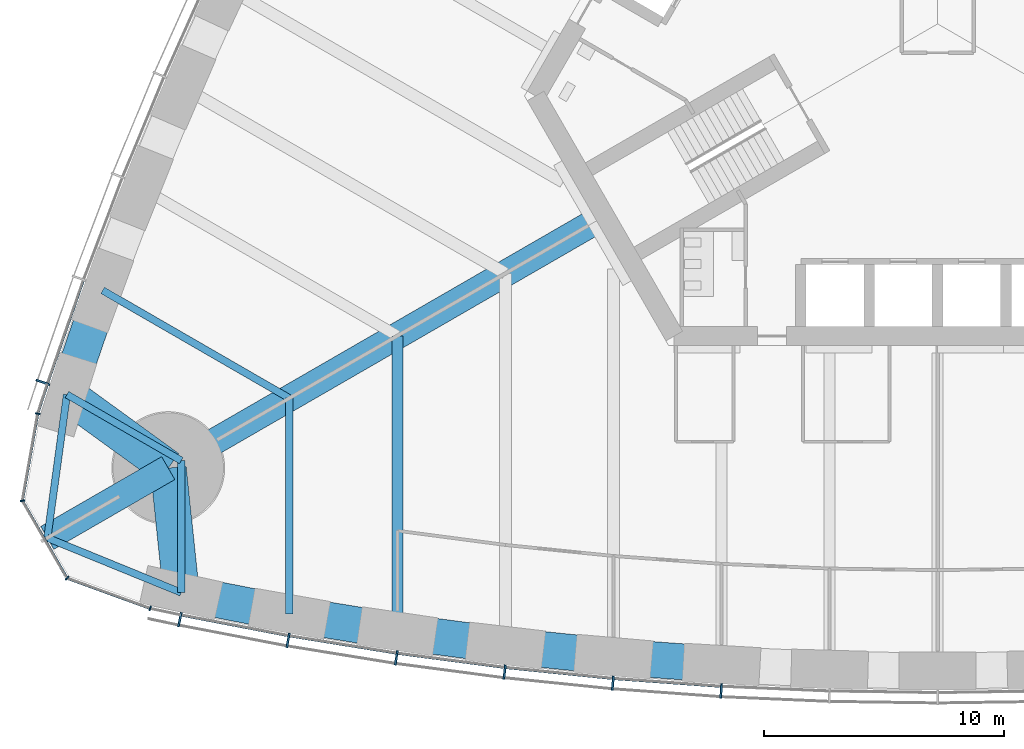
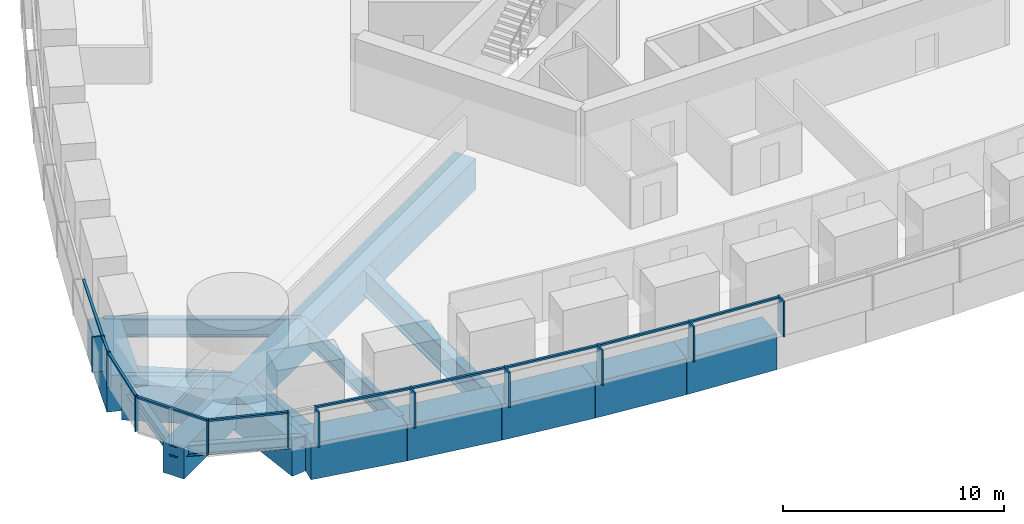
# One storey, part 2 of 18: 21 members, 17 beams, 3 elements without a shape of their own.
"""IFC4 building model written with IfcOpenShell, lengths in metres."""

from ifc_helpers import new_model, si_unit, direction, frame, origin, origin_2d, place, context, subcontext, project, spatial, rectangle, i_section, extrude, material, material_profile, profile_set, type_object, element, aggregate, save


model = new_model("IFC4")

# Units and contexts
model_context = context("Model", 3, precision=1e-05, world=origin(), true_north=direction((0.0, 1.0)))
body_context = subcontext(model_context, "Body", "Model", "MODEL_VIEW")
ifc_project = project(units=[si_unit("LENGTHUNIT", "METRE"), si_unit("AREAUNIT", "SQUARE_METRE"), si_unit("VOLUMEUNIT", "CUBIC_METRE"), si_unit("PLANEANGLEUNIT", "RADIAN"), si_unit("MASSUNIT", "GRAM", prefix="KILO")], contexts=[model_context])

# Site, building, storey
site_placement = place(None, origin())
site = spatial("IfcSite", under=ifc_project, at=site_placement, CompositionType="ELEMENT")
building_placement = place(site_placement, origin())
building = spatial("IfcBuilding", under=site, at=building_placement, Name="Trefoil Bronze Tower", CompositionType="ELEMENT")
storey_placement = place(building_placement, frame((0.0, 0.0, 87.89990234375)))
storey = spatial("IfcBuildingStorey", under=building, at=storey_placement, Name="L20", CompositionType="ELEMENT", Elevation=87.89990234375)

# Curtain wall, members
ifc_material_1 = material(Name="Tinted solar-control glass", Category="glass")
curtain_wall_type_1 = type_object("IfcCurtainWallType", Name="Bronze office curtain wall", PredefinedType="USERDEFINED", material=ifc_material_1)
curtain_wall_1_placement = place(storey_placement, origin())
curtain_wall_1 = element("IfcCurtainWall", 1, at=curtain_wall_1_placement, inside=storey, type_object=curtain_wall_type_1, Name="CW-A L20 F1", ObjectType="CURTAIN WALL", PredefinedType="USERDEFINED")
ifc_material_2 = material(Name="Bronze-finish aluminium", Category="aluminium")
ifc_material_profile_1 = material_profile(ifc_material_2, rectangle(XDim=0.60009765625, YDim=0.080078125, at=origin_2d()), Name="CW-A mullion")
ifc_profile_set_1 = profile_set([ifc_material_profile_1], Name="Bronze-finish aluminium")
member_type_1 = type_object("IfcMemberType", Name="Bronze office curtain wall mullion", PredefinedType="MULLION", material=ifc_profile_set_1)
member_1_placement = place(storey_placement, frame((-31.559326171875, -24.81005859375, 0.0), z_axis=(0.0, 0.0, 1.0), x_axis=(0.197910006829, 0.98022019424, 0.0)))
member_1 = element("IfcMember", 2, at=member_1_placement, type_object=member_type_1, Name="CW-A L20 F1 mullion 2", PredefinedType="MULLION", context=body_context, shape_type="SweptSolid", body=[
    extrude(rectangle(XDim=0.60009765625, YDim=0.080078125, at=origin_2d()), origin(), (0.0, 0.0, 1.0), 1.9501953125),
])
member_2_placement = place(storey_placement, frame((-27.05224609375, -25.67578125, 0.0), z_axis=(0.0, 0.0, 1.0), x_axis=(0.174131146426, 0.984722470468, 0.0)))
member_2 = element("IfcMember", 3, at=member_2_placement, type_object=member_type_1, Name="CW-A L20 F1 mullion 3", PredefinedType="MULLION", context=body_context, shape_type="SweptSolid", body=[
    extrude(rectangle(XDim=0.60009765625, YDim=0.080078125, at=origin_2d()), origin(), (0.0, 0.0, 1.0), 1.9501953125),
])
member_3_placement = place(storey_placement, frame((-22.54345703125, -26.40478515625, 0.0), z_axis=(0.0, 0.0, 1.0), x_axis=(0.145108990094, 0.989415676546, 0.0)))
member_3 = element("IfcMember", 4, at=member_3_placement, type_object=member_type_1, Name="CW-A L20 F1 mullion 4", PredefinedType="MULLION", context=body_context, shape_type="SweptSolid", body=[
    extrude(rectangle(XDim=0.60009765625, YDim=0.080078125, at=origin_2d()), origin(), (0.0, 0.0, 1.0), 1.9501953125),
])
member_4_placement = place(storey_placement, frame((-18.034912109375, -26.99853515625, 0.0), z_axis=(0.0, 0.0, 1.0), x_axis=(0.116086999973, 0.993239048989, 0.0)))
member_4 = element("IfcMember", 5, at=member_4_placement, type_object=member_type_1, Name="CW-A L20 F1 mullion 5", PredefinedType="MULLION", context=body_context, shape_type="SweptSolid", body=[
    extrude(rectangle(XDim=0.60009765625, YDim=0.080078125, at=origin_2d()), origin(), (0.0, 0.0, 1.0), 1.9501953125),
])
member_5_placement = place(storey_placement, frame((-13.526123046875, -27.458984375, 0.0), z_axis=(0.0, 0.0, 1.0), x_axis=(0.087065139456, 0.996202620701, 0.0)))
member_5 = element("IfcMember", 6, at=member_5_placement, type_object=member_type_1, Name="CW-A L20 F1 mullion 6", PredefinedType="MULLION", context=body_context, shape_type="SweptSolid", body=[
    extrude(rectangle(XDim=0.60009765625, YDim=0.080078125, at=origin_2d()), origin(), (0.0, 0.0, 1.0), 1.9501953125),
])
member_6_placement = place(storey_placement, frame((-9.017333984375, -27.786865234375, 0.0), z_axis=(0.0, 0.0, 1.0), x_axis=(0.058043374207, 0.998314062162, 0.0)))
member_6 = element("IfcMember", 7, at=member_6_placement, type_object=member_type_1, Name="CW-A L20 F1 mullion 7", PredefinedType="MULLION", context=body_context, shape_type="SweptSolid", body=[
    extrude(rectangle(XDim=0.60009765625, YDim=0.080078125, at=origin_2d()), origin(), (0.0, 0.0, 1.0), 1.9501953125),
])

# Curtain wall, member
curtain_wall_2_placement = place(storey_placement, origin())
curtain_wall_2 = element("IfcCurtainWall", 8, at=curtain_wall_2_placement, inside=storey, type_object=curtain_wall_type_1, Name="CW-A L20 F3", ObjectType="CURTAIN WALL", PredefinedType="USERDEFINED")
member_7_placement = place(storey_placement, frame((-37.265869140625, -14.92626953125, 0.0), z_axis=(0.0, 0.0, 1.0), x_axis=(0.947850592929, -0.318715003543, 0.0)))
member_7 = element("IfcMember", 9, at=member_7_placement, type_object=member_type_1, Name="CW-A L20 F3 mullion 16", PredefinedType="MULLION", context=body_context, shape_type="SweptSolid", body=[
    extrude(rectangle(XDim=0.60009765625, YDim=0.080078125, at=origin_2d()), origin(), (0.0, 0.0, 1.0), 1.9501953125),
])

# Member
ifc_material_3 = material(Name="Bronze-finish aluminium", Category="aluminium")
ifc_material_profile_2 = material_profile(ifc_material_3, rectangle(XDim=0.1201171875, YDim=0.10009765625, at=origin_2d()), Name="CW-A transom")
ifc_profile_set_2 = profile_set([ifc_material_profile_2], Name="Bronze-finish aluminium")
member_type_2 = type_object("IfcMemberType", Name="Bronze office curtain wall transom", PredefinedType="USERDEFINED", material=ifc_profile_set_2)
member_8_placement = place(storey_placement, frame((-31.4794921875, -24.621826171875, 1.900146484375), z_axis=(0.982053603997, -0.188602011855, 0.0), x_axis=(0.188602011855, 0.982053603997, 0.0)))
member_8 = element("IfcMember", 10, at=member_8_placement, type_object=member_type_2, Name="CW-A L20 F1 transom 2", ObjectType="TRANSOM", PredefinedType="USERDEFINED", context=body_context, shape_type="SweptSolid", body=[
    extrude(rectangle(XDim=0.1201171875, YDim=0.10009765625, at=origin_2d()), origin(), (0.0, 0.0, 1.0), 4.502197265625),
])

member_9_placement = place(storey_placement, frame((-26.9765625, -25.4853515625, 1.900146484375), z_axis=(0.987179401487, -0.159614627398, 0.0), x_axis=(0.159614627398, 0.987179401487, 0.0)))
member_9 = element("IfcMember", 11, at=member_9_placement, type_object=member_type_2, Name="CW-A L20 F1 transom 3", ObjectType="TRANSOM", PredefinedType="USERDEFINED", context=body_context, shape_type="SweptSolid", body=[
    extrude(rectangle(XDim=0.1201171875, YDim=0.10009765625, at=origin_2d()), origin(), (0.0, 0.0, 1.0), 4.478515625),
])

member_10_placement = place(storey_placement, frame((-22.473388671875, -26.212158203125, 1.900146484375), z_axis=(0.991436581643, -0.13058906761, 0.0), x_axis=(0.13058906761, 0.991436581643, 0.0)))
member_10 = element("IfcMember", 12, at=member_10_placement, type_object=member_type_2, Name="CW-A L20 F1 transom 4", ObjectType="TRANSOM", PredefinedType="USERDEFINED", context=body_context, shape_type="SweptSolid", body=[
    extrude(rectangle(XDim=0.1201171875, YDim=0.10009765625, at=origin_2d()), origin(), (0.0, 0.0, 1.0), 4.458740234375),
])

member_11_placement = place(storey_placement, frame((-17.970458984375, -26.80419921875, 1.900146484375), z_axis=(0.994831650915, -0.101538102888, 0.0), x_axis=(0.101538102888, 0.994831650915, 0.0)))
member_11 = element("IfcMember", 13, at=member_11_placement, type_object=member_type_2, Name="CW-A L20 F1 transom 5", ObjectType="TRANSOM", PredefinedType="USERDEFINED", context=body_context, shape_type="SweptSolid", body=[
    extrude(rectangle(XDim=0.1201171875, YDim=0.10009765625, at=origin_2d()), origin(), (0.0, 0.0, 1.0), 4.443359375),
])

member_12_placement = place(storey_placement, frame((-13.46728515625, -27.2626953125, 1.900146484375), z_axis=(0.997364729945, -0.07255064067, 0.0), x_axis=(0.07255064067, 0.997364729945, 0.0)))
member_12 = element("IfcMember", 14, at=member_12_placement, type_object=member_type_2, Name="CW-A L20 F1 transom 6", ObjectType="TRANSOM", PredefinedType="USERDEFINED", context=body_context, shape_type="SweptSolid", body=[
    extrude(rectangle(XDim=0.1201171875, YDim=0.10009765625, at=origin_2d()), origin(), (0.0, 0.0, 1.0), 4.431884765625),
])

aggregate(curtain_wall_1, [member_1, member_2, member_3, member_4, member_5, member_6, member_8, member_9, member_10, member_11, member_12])

member_13_placement = place(storey_placement, frame((-35.587646484375, -10.697509765625, 1.900146484375), z_axis=(-0.327689728493, -0.944785394595, 0.0), x_axis=(0.944785394595, -0.327689728493, 0.0)))
member_13 = element("IfcMember", 15, at=member_13_placement, type_object=member_type_2, Name="CW-A L20 F3 transom 15", ObjectType="TRANSOM", PredefinedType="USERDEFINED", context=body_context, shape_type="SweptSolid", body=[
    extrude(rectangle(XDim=0.1201171875, YDim=0.10009765625, at=origin_2d()), origin(), (0.0, 0.0, 1.0), 4.502197265625),
])

member_14_placement = place(storey_placement, frame((-37.089111328125, -15.02880859375, 1.900146484375), z_axis=(-0.309624219148, -0.950859002648, 0.0), x_axis=(0.950859002648, -0.309624219148, 0.0)))
member_14 = element("IfcMember", 16, at=member_14_placement, type_object=member_type_2, Name="CW-A L20 F3 transom 16", ObjectType="TRANSOM", PredefinedType="USERDEFINED", context=body_context, shape_type="SweptSolid", body=[
    extrude(rectangle(XDim=0.1201171875, YDim=0.10009765625, at=origin_2d()), origin(), (0.0, 0.0, 1.0), 1.21044921875),
])

aggregate(curtain_wall_2, [member_7, member_13, member_14])

# Curtain wall, members
ifc_material_4 = material(Name="Tinted solar-control glass", Category="glass")
curtain_wall_type_2 = type_object("IfcCurtainWallType", Name="Bronze rounded corner curtain wall", PredefinedType="USERDEFINED", material=ifc_material_4)
curtain_wall_3_placement = place(storey_placement, origin())
curtain_wall_3 = element("IfcCurtainWall", 17, at=curtain_wall_3_placement, inside=storey, type_object=curtain_wall_type_2, Name="CW-B L20 K3", ObjectType="CURTAIN WALL", PredefinedType="USERDEFINED")
ifc_material_5 = material(Name="Bronze-finish aluminium", Category="aluminium")
ifc_material_profile_3 = material_profile(ifc_material_5, rectangle(XDim=0.199951171875, YDim=0.06005859375, at=origin_2d()), Name="CW-B mullion")
ifc_profile_set_3 = profile_set([ifc_material_profile_3], Name="Bronze-finish aluminium")
member_type_3 = type_object("IfcMemberType", Name="Bronze rounded corner curtain wall mullion", PredefinedType="MULLION", material=ifc_profile_set_3)
member_15_placement = place(storey_placement, frame((-37.479736328125, -16.2314453125, 0.0), z_axis=(0.0, 0.0, 1.0), x_axis=(0.984807753012, -0.173648177667, 0.0)))
member_15 = element("IfcMember", 18, at=member_15_placement, type_object=member_type_3, Name="CW-B L20 K3 mullion 1", PredefinedType="MULLION", context=body_context, shape_type="SweptSolid", body=[
    extrude(rectangle(XDim=0.199951171875, YDim=0.06005859375, at=origin_2d()), origin(), (0.0, 0.0, 1.0), 1.9501953125),
])
member_16_placement = place(storey_placement, frame((-38.11328125, -19.85888671875, 0.0), z_axis=(0.0, 0.0, 1.0), x_axis=(0.984807753012, 0.173648177667, 0.0)))
member_16 = element("IfcMember", 19, at=member_16_placement, type_object=member_type_3, Name="CW-B L20 K3 mullion 2", PredefinedType="MULLION", context=body_context, shape_type="SweptSolid", body=[
    extrude(rectangle(XDim=0.199951171875, YDim=0.06005859375, at=origin_2d()), origin(), (0.0, 0.0, 1.0), 1.9501953125),
])
member_17_placement = place(storey_placement, frame((-36.2548828125, -23.07763671875, 0.0), z_axis=(0.0, 0.0, 1.0), x_axis=(0.642787609687, 0.766044443119, 0.0)))
member_17 = element("IfcMember", 20, at=member_17_placement, type_object=member_type_3, Name="CW-B L20 K3 mullion 3", PredefinedType="MULLION", context=body_context, shape_type="SweptSolid", body=[
    extrude(rectangle(XDim=0.199951171875, YDim=0.06005859375, at=origin_2d()), origin(), (0.0, 0.0, 1.0), 1.9501953125),
])
member_18_placement = place(storey_placement, frame((-32.796630859375, -24.3427734375, 0.0), z_axis=(0.0, 0.0, 1.0), x_axis=(0.342020143326, 0.939692620786, 0.0)))
member_18 = element("IfcMember", 21, at=member_18_placement, type_object=member_type_3, Name="CW-B L20 K3 mullion 4", PredefinedType="MULLION", context=body_context, shape_type="SweptSolid", body=[
    extrude(rectangle(XDim=0.199951171875, YDim=0.06005859375, at=origin_2d()), origin(), (0.0, 0.0, 1.0), 1.9501953125),
])
ifc_material_6 = material(Name="Bronze-finish aluminium", Category="aluminium")
ifc_material_profile_4 = material_profile(ifc_material_6, rectangle(XDim=0.1201171875, YDim=0.10009765625, at=origin_2d()), Name="CW-B transom")
ifc_profile_set_4 = profile_set([ifc_material_profile_4], Name="Bronze-finish aluminium")
member_type_4 = type_object("IfcMemberType", Name="Bronze rounded corner curtain wall transom", PredefinedType="USERDEFINED", material=ifc_profile_set_4)
member_19_placement = place(storey_placement, frame((-37.48486328125, -16.260986328125, 1.900146484375), z_axis=(-0.17363783606, -0.984809576461, 0.0), x_axis=(0.984809576461, -0.17363783606, 0.0)))
member_19 = element("IfcMember", 22, at=member_19_placement, type_object=member_type_4, Name="CW-B L20 K3 transom 1", ObjectType="TRANSOM", PredefinedType="USERDEFINED", context=body_context, shape_type="SweptSolid", body=[
    extrude(rectangle(XDim=0.1201171875, YDim=0.10009765625, at=origin_2d()), origin(), (0.0, 0.0, 1.0), 3.588134765625),
])
member_20_placement = place(storey_placement, frame((-38.08642578125, -19.91748046875, 1.900146484375), z_axis=(0.500024788772, -0.866011091507, 0.0), x_axis=(0.866011091507, 0.500024788772, 0.0)))
member_20 = element("IfcMember", 23, at=member_20_placement, type_object=member_type_4, Name="CW-B L20 K3 transom 2", ObjectType="TRANSOM", PredefinedType="USERDEFINED", context=body_context, shape_type="SweptSolid", body=[
    extrude(rectangle(XDim=0.1201171875, YDim=0.10009765625, at=origin_2d()), origin(), (0.0, 0.0, 1.0), 3.588134765625),
])
member_21_placement = place(storey_placement, frame((-36.196533203125, -23.105224609375, 1.900146484375), z_axis=(0.939688092095, -0.342032585545, 0.0), x_axis=(0.342032585545, 0.939688092095, 0.0)))
member_21 = element("IfcMember", 24, at=member_21_placement, type_object=member_type_4, Name="CW-B L20 K3 transom 3", ObjectType="TRANSOM", PredefinedType="USERDEFINED", context=body_context, shape_type="SweptSolid", body=[
    extrude(rectangle(XDim=0.1201171875, YDim=0.10009765625, at=origin_2d()), origin(), (0.0, 0.0, 1.0), 3.588134765625),
])
aggregate(curtain_wall_3, [member_15, member_16, member_17, member_18, member_19, member_20, member_21])

# Beams
ifc_material_7 = material(Name="Concrete B80", Category="concrete")
ifc_material_profile_5 = material_profile(ifc_material_7, rectangle(XDim=1.10009765625, YDim=1.699951171875, at=origin_2d()), Name="RC 1100x1700")
ifc_profile_set_5 = profile_set([ifc_material_profile_5], Name="Concrete B80")
beam_type_1 = type_object("IfcBeamType", Name="Corner cantilever RC 1100x1700", PredefinedType="BEAM", material=ifc_profile_set_5)
beam_1_placement = place(storey_placement, frame((-32.04296875, -18.5, -1.0498046875), z_axis=(-0.866030348588, -0.499991435252, 0.0), x_axis=(0.499991435252, -0.866030348588, 0.0)))
element("IfcBeam", 25, at=beam_1_placement, inside=storey, type_object=beam_type_1, Name="Corner cantilever K3 L20", PredefinedType="BEAM", context=body_context, shape_type="SweptSolid", body=[
    extrude(rectangle(XDim=1.10009765625, YDim=1.699951171875, at=origin_2d()), origin(), (0.0, 0.0, 1.0), 5.81396484375),
])
ifc_material_8 = material(Name="Steel C355", Category="steel")
ifc_material_profile_6 = material_profile(ifc_material_8, i_section(OverallWidth=0.300048828125, OverallDepth=0.60009765625, WebThickness=0.015380859375, FlangeThickness=0.030029296875, FilletRadius=0.027099609375, at=origin_2d()), Name="HEB 600")
ifc_profile_set_6 = profile_set([ifc_material_profile_6], Name="Steel C355")
beam_type_2 = type_object("IfcBeamType", Name="Corner edge beam HEB 600", PredefinedType="BEAM", material=ifc_profile_set_6)
beam_2_placement = place(storey_placement, frame((-31.5, -23.684814453125, -0.5), z_axis=(-0.925786874353, 0.378045848114, 0.0), x_axis=(-0.378045848114, -0.925786874353, 0.0)))
element("IfcBeam", 26, at=beam_2_placement, inside=storey, type_object=beam_type_2, Name="Corner edge beam F1B L20", PredefinedType="BEAM", context=body_context, shape_type="SweptSolid", body=[
    extrude(i_section(OverallWidth=0.300048828125, OverallDepth=0.60009765625, WebThickness=0.015380859375, FlangeThickness=0.030029296875, FilletRadius=0.027099609375, at=origin_2d()), origin(), (0.0, 0.0, 1.0), 6.025390625),
])
beam_3_placement = place(storey_placement, frame((-36.26171875, -15.4375, -0.5), z_axis=(-0.13550196505, -0.990777077585, 0.0), x_axis=(0.990777077585, -0.13550196505, 0.0)))
element("IfcBeam", 27, at=beam_3_placement, inside=storey, type_object=beam_type_2, Name="Corner edge beam F3A L20", PredefinedType="BEAM", context=body_context, shape_type="SweptSolid", body=[
    extrude(i_section(OverallWidth=0.300048828125, OverallDepth=0.60009765625, WebThickness=0.015380859375, FlangeThickness=0.030029296875, FilletRadius=0.027099609375, at=origin_2d()), origin(), (0.0, 0.0, 1.0), 6.025146484375),
])
ifc_material_9 = material(Name="Concrete B80", Category="concrete")
ifc_material_profile_7 = material_profile(ifc_material_9, rectangle(XDim=1.10009765625, YDim=1.699951171875, at=origin_2d()), Name="RC 1100x1700")
ifc_profile_set_7 = profile_set([ifc_material_profile_7], Name="Concrete B80")
beam_type_3 = type_object("IfcBeamType", Name="Corner girder RC 1100x1700", PredefinedType="BEAM", material=ifc_profile_set_7)
beam_4_placement = place(storey_placement, frame((-14.202880859375, -8.199951171875, -1.0498046875), z_axis=(-0.866023947468, -0.500002522405, 0.0), x_axis=(0.500002522405, -0.866023947468, 0.0)))
element("IfcBeam", 28, at=beam_4_placement, inside=storey, type_object=beam_type_3, Name="Corner girder K3 L20", PredefinedType="BEAM", context=body_context, shape_type="SweptSolid", body=[
    extrude(rectangle(XDim=1.10009765625, YDim=1.699951171875, at=origin_2d()), origin(), (0.0, 0.0, 1.0), 20.60009765625),
])
ifc_material_10 = material(Name="Concrete B80", Category="concrete")
ifc_material_profile_8 = material_profile(ifc_material_10, rectangle(XDim=1.5, YDim=2.0, at=origin_2d()), Name="RC 1500x2000")
ifc_profile_set_8 = profile_set([ifc_material_profile_8], Name="Concrete B80")
beam_type_4 = type_object("IfcBeamType", Name="End spandrel beam RC 1500x2000", PredefinedType="SPANDREL", material=ifc_profile_set_8)
for number, where, z_axis, x_axis, name in (
    (29, (-32.04296875, -18.5, -1.199951171875), (0.104153327908, -0.994561252154, 0.0), (0.994561252154, 0.104153327908, 0.0), "Spandrel F1.1 L20"),
    (30, (-36.26171875, -15.4375, -1.199951171875), (0.809254211267, -0.587458612624, 0.0), (0.587458612624, 0.809254211267, 0.0), "Spandrel F3.16 L20"),
):
    element("IfcBeam", number, at=place(storey_placement, frame(where, z_axis=z_axis, x_axis=x_axis)), inside=storey, type_object=beam_type_4, Name=name, PredefinedType="SPANDREL", context=body_context, shape_type="SweptSolid", body=[
        extrude(rectangle(XDim=1.5, YDim=2.0, at=origin_2d()), origin(), (0.0, 0.0, 1.0), 5.213134765625),
    ])
ifc_material_11 = material(Name="Steel C355", Category="steel")
ifc_material_profile_9 = material_profile(ifc_material_11, i_section(OverallWidth=0.300048828125, OverallDepth=0.60009765625, WebThickness=0.015380859375, FlangeThickness=0.030029296875, FilletRadius=0.027099609375, at=origin_2d()), Name="HEB 600")
ifc_profile_set_9 = profile_set([ifc_material_profile_9], Name="Steel C355")
beam_type_5 = type_object("IfcBeamType", Name="Floor beam HEB 600", PredefinedType="BEAM", material=ifc_profile_set_9)
for number, where, z_axis, x_axis, name in (
    (31, (-31.5, -23.684814453125, -0.5), (0.0, 1.0, 0.0), (-1.0, 0.0, 0.0), "Floor beam F1/-7 L20"),
    (32, (-36.26171875, -15.4375, -0.5), (0.866037702141, -0.499978698016, 0.0), (0.499978698016, 0.866037702141, 0.0), "Floor beam F3/+7 L20"),
):
    element("IfcBeam", number, at=place(storey_placement, frame(where, z_axis=z_axis, x_axis=x_axis)), inside=storey, type_object=beam_type_5, Name=name, PredefinedType="BEAM", context=body_context, shape_type="SweptSolid", body=[
        extrude(i_section(OverallWidth=0.300048828125, OverallDepth=0.60009765625, WebThickness=0.015380859375, FlangeThickness=0.030029296875, FilletRadius=0.027099609375, at=origin_2d()), origin(), (0.0, 0.0, 1.0), 5.498291015625),
    ])
ifc_material_12 = material(Name="Steel C355", Category="steel")
ifc_material_profile_10 = material_profile(ifc_material_12, i_section(OverallWidth=0.302001953125, OverallDepth=1.008056640625, WebThickness=0.02099609375, FlangeThickness=0.0400390625, FilletRadius=0.030029296875, at=origin_2d()), Name="HEM 1000")
ifc_profile_set_10 = profile_set([ifc_material_profile_10], Name="Steel C355")
beam_type_6 = type_object("IfcBeamType", Name="Floor beam HEM 1000", PredefinedType="BEAM", material=ifc_profile_set_10)
for number, where, z_axis, x_axis, name in (
    (33, (-27.0, -24.56787109375, -0.703857421875), (0.0, 1.0, 0.0), (-1.0, 0.0, 0.0), "Floor beam F1/-6 L20"),
    (34, (-34.7763671875, -11.0986328125, -0.703857421875), (0.866022587327, -0.500004878216, 0.0), (0.500004878216, 0.866022587327, 0.0), "Floor beam F3/+6 L20"),
):
    element("IfcBeam", number, at=place(storey_placement, frame(where, z_axis=z_axis, x_axis=x_axis)), inside=storey, type_object=beam_type_6, Name=name, PredefinedType="BEAM", context=body_context, shape_type="SweptSolid", body=[
        extrude(i_section(OverallWidth=0.302001953125, OverallDepth=1.008056640625, WebThickness=0.02099609375, FlangeThickness=0.0400390625, FilletRadius=0.030029296875, at=origin_2d()), origin(), (0.0, 0.0, 1.0), 8.9794921875),
    ])
ifc_material_13 = material(Name="Steel C355", Category="steel")
ifc_material_profile_11 = material_profile(ifc_material_13, i_section(OverallWidth=0.449951171875, OverallDepth=1.39990234375, WebThickness=0.02294921875, FlangeThickness=0.044921875, FilletRadius=0.011962890625, at=origin_2d()), Name="WPG 1400")
ifc_profile_set_11 = profile_set([ifc_material_profile_11], Name="Steel C355")
beam_type_7 = type_object("IfcBeamType", Name="Floor beam WPG 1400", PredefinedType="BEAM", material=ifc_profile_set_11)
beam_5_placement = place(storey_placement, frame((-22.5, -25.29931640625, -0.89990234375), z_axis=(0.0, 1.0, 0.0), x_axis=(-1.0, 0.0, 0.0)))
element("IfcBeam", 35, at=beam_5_placement, inside=storey, type_object=beam_type_7, Name="Floor beam F1/-5 L20", PredefinedType="BEAM", context=body_context, shape_type="SweptSolid", body=[
    extrude(i_section(OverallWidth=0.449951171875, OverallDepth=1.39990234375, WebThickness=0.02294921875, FlangeThickness=0.044921875, FilletRadius=0.011962890625, at=origin_2d()), origin(), (0.0, 0.0, 1.0), 12.308837890625),
])
ifc_material_14 = material(Name="Concrete B80", Category="concrete")
ifc_material_profile_12 = material_profile(ifc_material_14, rectangle(XDim=1.5, YDim=2.0, at=origin_2d()), Name="RC 1500x2000")
ifc_profile_set_12 = profile_set([ifc_material_profile_12], Name="Concrete B80")
beam_type_8 = type_object("IfcBeamType", Name="Spandrel beam RC 1500x2000", PredefinedType="SPANDREL", material=ifc_profile_set_12)
beam_6_placement = place(storey_placement, frame((-31.5, -23.684814453125, -1.199951171875), z_axis=(0.981284764092, -0.192562228283, 0.0), x_axis=(0.192562228283, 0.981284764092, 0.0)))
element("IfcBeam", 36, at=beam_6_placement, inside=storey, type_object=beam_type_8, Name="Spandrel F1.2 L20", PredefinedType="SPANDREL", context=body_context, shape_type="SweptSolid", body=[
    extrude(rectangle(XDim=1.5, YDim=2.0, at=origin_2d()), origin(), (0.0, 0.0, 1.0), 4.5859375),
])
beam_7_placement = place(storey_placement, frame((-27.0, -24.56787109375, -1.199951171875), z_axis=(0.987045951254, -0.160437807615, 0.0), x_axis=(0.160437807615, 0.987045951254, 0.0)))
element("IfcBeam", 37, at=beam_7_placement, inside=storey, type_object=beam_type_8, Name="Spandrel F1.3 L20", PredefinedType="SPANDREL", context=body_context, shape_type="SweptSolid", body=[
    extrude(rectangle(XDim=1.5, YDim=2.0, at=origin_2d()), origin(), (0.0, 0.0, 1.0), 4.55908203125),
])
beam_8_placement = place(storey_placement, frame((-22.5, -25.29931640625, -1.199951171875), z_axis=(0.991344474846, -0.131286450906, 0.0), x_axis=(0.131286450906, 0.991344474846, 0.0)))
element("IfcBeam", 38, at=beam_8_placement, inside=storey, type_object=beam_type_8, Name="Spandrel F1.4 L20", PredefinedType="SPANDREL", context=body_context, shape_type="SweptSolid", body=[
    extrude(rectangle(XDim=1.5, YDim=2.0, at=origin_2d()), origin(), (0.0, 0.0, 1.0), 4.539306640625),
])
beam_9_placement = place(storey_placement, frame((-18.0, -25.895263671875, -1.199951171875), z_axis=(0.994778488621, -0.102057623805, 0.0), x_axis=(0.102057623805, 0.994778488621, 0.0)))
element("IfcBeam", 39, at=beam_9_placement, inside=storey, type_object=beam_type_8, Name="Spandrel F1.5 L20", PredefinedType="SPANDREL", context=body_context, shape_type="SweptSolid", body=[
    extrude(rectangle(XDim=1.5, YDim=2.0, at=origin_2d()), origin(), (0.0, 0.0, 1.0), 4.523681640625),
])
beam_10_placement = place(storey_placement, frame((-13.5, -26.35693359375, -1.199951171875), z_axis=(0.997336412354, -0.072938882588, 0.0), x_axis=(0.072938882588, 0.997336412354, 0.0)))
element("IfcBeam", 40, at=beam_10_placement, inside=storey, type_object=beam_type_8, Name="Spandrel F1.6 L20", PredefinedType="SPANDREL", context=body_context, shape_type="SweptSolid", body=[
    extrude(rectangle(XDim=1.5, YDim=2.0, at=origin_2d()), origin(), (0.0, 0.0, 1.0), 4.511962890625),
])
beam_11_placement = place(storey_placement, frame((-34.7763671875, -11.0986328125, -1.199951171875), z_axis=(-0.323883319148, -0.946097032855, 0.0), x_axis=(0.946097032855, -0.323883319148, 0.0)))
element("IfcBeam", 41, at=beam_11_placement, inside=storey, type_object=beam_type_8, Name="Spandrel F3.15 L20", PredefinedType="SPANDREL", context=body_context, shape_type="SweptSolid", body=[
    extrude(rectangle(XDim=1.5, YDim=2.0, at=origin_2d()), origin(), (0.0, 0.0, 1.0), 4.586181640625),
])

save(model, "model.ifc")
